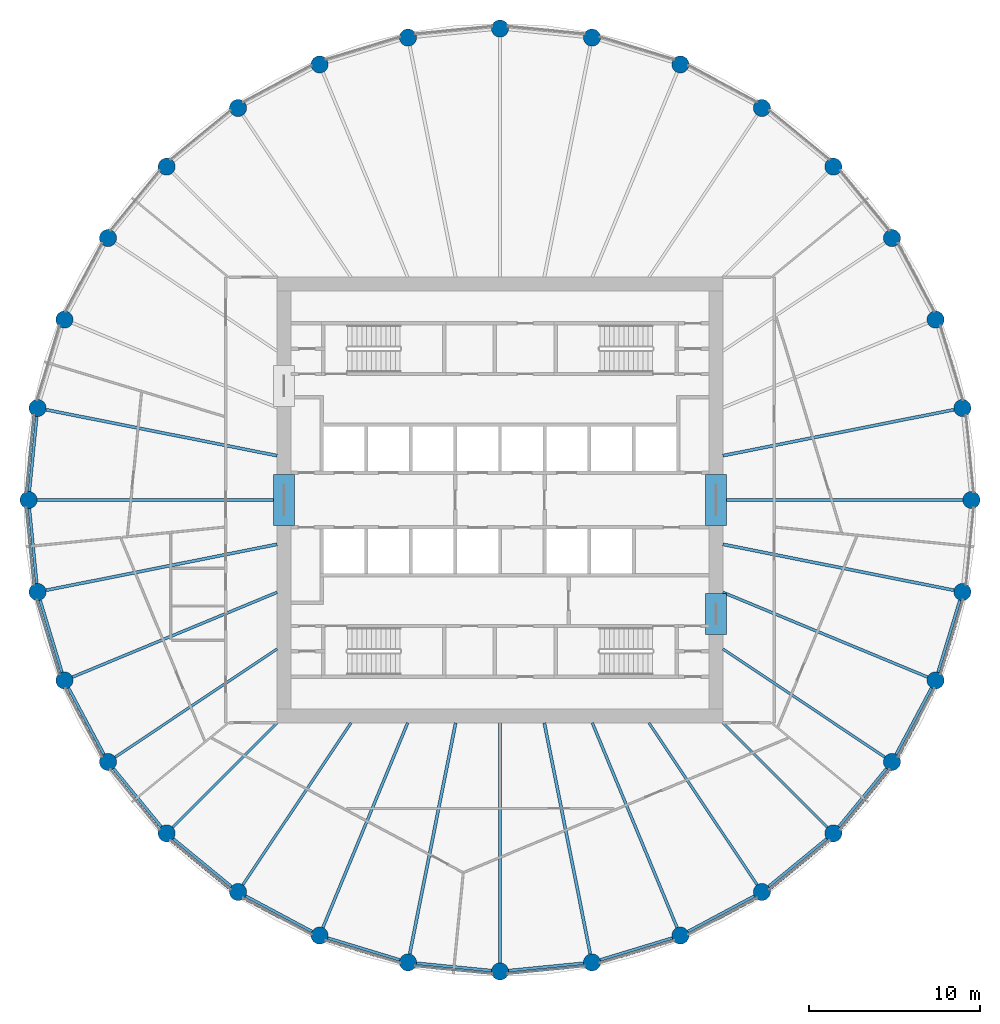
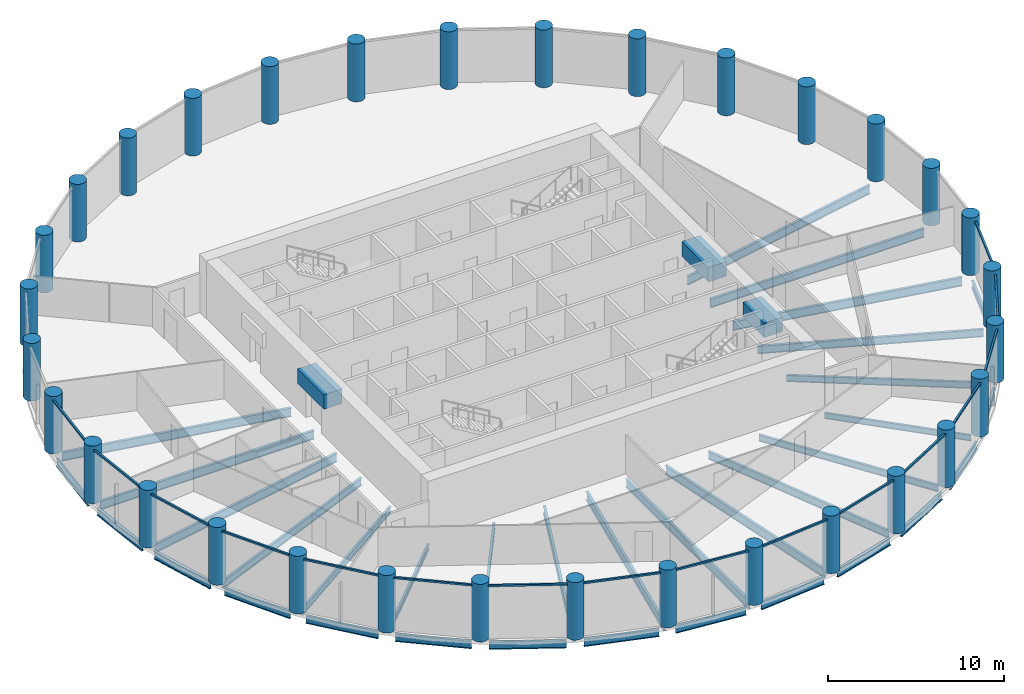
# One storey, part 1 of 8: 38 beams, 32 columns, 16 members, 16 elements without a shape of their own.
"""IFC4 building model written with IfcOpenShell, lengths in metres."""

from ifc_helpers import new_model, si_unit, direction, frame, origin, origin_2d, place, context, subcontext, project, spatial, rectangle, circle, i_section, extrude, material, material_profile, profile_set, type_object, element, aggregate, save


model = new_model("IFC4")

# Units and contexts
model_context = context("Model", 3, precision=1e-05, world=origin(), true_north=direction((0.0, 1.0)))
body_context = subcontext(model_context, "Body", "Model", "MODEL_VIEW")
ifc_project = project(units=[si_unit("LENGTHUNIT", "METRE"), si_unit("AREAUNIT", "SQUARE_METRE"), si_unit("VOLUMEUNIT", "CUBIC_METRE"), si_unit("PLANEANGLEUNIT", "RADIAN"), si_unit("MASSUNIT", "GRAM", prefix="KILO")], contexts=[model_context])

# Site, building, storey
site_placement = place(None, origin())
site = spatial("IfcSite", under=ifc_project, at=site_placement, CompositionType="ELEMENT")
building_placement = place(site_placement, origin())
building = spatial("IfcBuilding", under=site, at=building_placement, Name="Corvane Civic Tower", CompositionType="ELEMENT")
storey_placement = place(building_placement, frame((0.0, 0.0, 229.5)))
storey = spatial("IfcBuildingStorey", under=building, at=storey_placement, Name="L54", CompositionType="ELEMENT", Elevation=229.5)

# Columns
ifc_material_1 = material(Name="Concrete C60/75", Category="concrete")
ifc_material_profile_1 = material_profile(ifc_material_1, circle(Radius=0.5, at=origin_2d()), Name="COLUMN 1000")
ifc_profile_set_1 = profile_set([ifc_material_profile_1], Name="Concrete C60/75")
column_type = type_object("IfcColumnType", Name="RC COLUMN COLUMN 1000", PredefinedType="COLUMN", material=ifc_profile_set_1)
for number, where, z_axis, x_axis, name in (
    (1, (0.0, 27.5, 0.0), (0.0, 0.0, 1.0), (1.0, 0.0, 0.0), "COL-L54-D01"),
    (2, (5.364990234375, 26.9716796875, 0.0), (0.0, 0.0, 1.0), (1.0, 0.0, 0.0), "COL-L54-D02"),
    (3, (10.523681640625, 25.40673828125, 0.0), (0.0, 0.0, 1.0), (1.0, 0.0, 0.0), "COL-L54-D03"),
    (4, (15.278076171875, 22.865478515625, 0.0), (0.0, 0.0, 1.0), (1.0, 0.0, 0.0), "COL-L54-D04"),
    (5, (19.445556640625, 19.445556640625, 0.0), (0.0, 0.0, 1.0), (1.0, 0.0, 0.0), "COL-L54-D05"),
    (6, (22.865478515625, 15.278076171875, 0.0), (0.0, 0.0, 1.0), (1.0, 0.0, 0.0), "COL-L54-D06"),
    (7, (25.40673828125, 10.523681640625, 0.0), (0.0, 0.0, 1.0), (1.0, 0.0, 0.0), "COL-L54-D07"),
    (8, (26.9716796875, 5.364990234375, 0.0), (0.0, 0.0, 1.0), (1.0, 0.0, 0.0), "COL-L54-D08"),
    (9, (27.5, 0.0, 0.0), (0.0, 0.0, 1.0), (1.0, 0.0, 0.0), "COL-L54-D09"),
    (10, (26.9716796875, -5.364990234375, 0.0), (0.0, 0.0, 1.0), (1.0, 0.0, 0.0), "COL-L54-D10"),
    (11, (25.40673828125, -10.523681640625, 0.0), (0.0, 0.0, 1.0), (1.0, 0.0, 0.0), "COL-L54-D11"),
    (12, (22.865478515625, -15.278076171875, 0.0), (0.0, 0.0, 1.0), (1.0, 0.0, 0.0), "COL-L54-D12"),
    (13, (19.445556640625, -19.445556640625, 0.0), (0.0, 0.0, 1.0), (1.0, 0.0, 0.0), "COL-L54-D13"),
    (14, (15.278076171875, -22.865478515625, 0.0), (0.0, 0.0, 1.0), (1.0, 0.0, 0.0), "COL-L54-D14"),
    (15, (10.523681640625, -25.40673828125, 0.0), (0.0, 0.0, 1.0), (1.0, 0.0, 0.0), "COL-L54-D15"),
    (16, (5.364990234375, -26.9716796875, 0.0), (0.0, 0.0, 1.0), (1.0, 0.0, 0.0), "COL-L54-D16"),
    (17, (0.0, -27.5, 0.0), (0.0, 0.0, 1.0), (1.0, 0.0, 0.0), "COL-L54-D17"),
    (18, (-5.364990234375, -26.9716796875, 0.0), (0.0, 0.0, 1.0), (1.0, 0.0, 0.0), "COL-L54-D18"),
    (19, (-10.523681640625, -25.40673828125, 0.0), (0.0, 0.0, 1.0), (1.0, 0.0, 0.0), "COL-L54-D19"),
    (20, (-15.278076171875, -22.865478515625, 0.0), (0.0, 0.0, 1.0), (1.0, 0.0, 0.0), "COL-L54-D20"),
    (21, (-19.445556640625, -19.445556640625, 0.0), (0.0, 0.0, 1.0), (1.0, 0.0, 0.0), "COL-L54-D21"),
    (22, (-22.865478515625, -15.278076171875, 0.0), (0.0, 0.0, 1.0), (1.0, 0.0, 0.0), "COL-L54-D22"),
    (23, (-25.40673828125, -10.523681640625, 0.0), (0.0, 0.0, 1.0), (1.0, 0.0, 0.0), "COL-L54-D23"),
    (24, (-26.9716796875, -5.364990234375, 0.0), (0.0, 0.0, 1.0), (1.0, 0.0, 0.0), "COL-L54-D24"),
    (25, (-27.5, 0.0, 0.0), (0.0, 0.0, 1.0), (1.0, 0.0, 0.0), "COL-L54-D25"),
    (26, (-26.9716796875, 5.364990234375, 0.0), (0.0, 0.0, 1.0), (1.0, 0.0, 0.0), "COL-L54-D26"),
    (27, (-25.40673828125, 10.523681640625, 0.0), (0.0, 0.0, 1.0), (1.0, 0.0, 0.0), "COL-L54-D27"),
    (28, (-22.865478515625, 15.278076171875, 0.0), (0.0, 0.0, 1.0), (1.0, 0.0, 0.0), "COL-L54-D28"),
    (29, (-19.445556640625, 19.445556640625, 0.0), (0.0, 0.0, 1.0), (1.0, 0.0, 0.0), "COL-L54-D29"),
    (30, (-15.278076171875, 22.865478515625, 0.0), (0.0, 0.0, 1.0), (1.0, 0.0, 0.0), "COL-L54-D30"),
    (31, (-10.523681640625, 25.40673828125, 0.0), (0.0, 0.0, 1.0), (1.0, 0.0, 0.0), "COL-L54-D31"),
    (32, (-5.364990234375, 26.9716796875, 0.0), (0.0, 0.0, 1.0), (1.0, 0.0, 0.0), "COL-L54-D32"),
):
    element("IfcColumn", number, at=place(storey_placement, frame(where, z_axis=z_axis, x_axis=x_axis)), inside=storey, type_object=column_type, Name=name, PredefinedType="COLUMN", context=body_context, shape_type="SweptSolid", body=[
        extrude(circle(Radius=0.5, at=origin_2d()), origin(), (0.0, 0.0, 1.0), 4.0),
    ])

# Beams
ifc_material_2 = material(Name="Concrete C50/60", Category="concrete")
ifc_material_profile_2 = material_profile(ifc_material_2, rectangle(XDim=1.199951171875, YDim=1.0, at=origin_2d()), Name="COUPLING BEAM 1200X1000")
ifc_profile_set_2 = profile_set([ifc_material_profile_2], Name="Concrete C50/60")
beam_type_1 = type_object("IfcBeamType", Name="COUPLING BEAM COUPLING BEAM 1200X1000", PredefinedType="BEAM", material=ifc_profile_set_2)
for number, where, z_axis, x_axis, name in (
    (33, (-12.60009765625, -1.5, 2.60009765625), (0.0, 1.0, 0.0), (-1.0, 0.0, 0.0), "BM-L54-cpl-CW-LW"),
    (34, (12.60009765625, -1.5, 2.60009765625), (0.0, 1.0, 0.0), (-1.0, 0.0, 0.0), "BM-L54-cpl-CW-LE"),
):
    element("IfcBeam", number, at=place(storey_placement, frame(where, z_axis=z_axis, x_axis=x_axis)), inside=storey, type_object=beam_type_1, Name=name, PredefinedType="BEAM", context=body_context, shape_type="SweptSolid", body=[
        extrude(rectangle(XDim=1.199951171875, YDim=1.0, at=origin_2d()), origin(), (0.0, 0.0, 1.0), 3.0),
    ])
beam_1_placement = place(storey_placement, frame((12.60009765625, -7.85009765625, 2.60009765625), z_axis=(0.0, 1.0, 0.0), x_axis=(-1.0, 0.0, 0.0)))
element("IfcBeam", 35, at=beam_1_placement, inside=storey, type_object=beam_type_1, Name="BM-L54-cpl-CW-ES", PredefinedType="BEAM", context=body_context, shape_type="SweptSolid", body=[
    extrude(rectangle(XDim=1.199951171875, YDim=1.0, at=origin_2d()), origin(), (0.0, 0.0, 1.0), 2.400146484375),
])
ifc_material_3 = material(Name="Steel ASTM A992 Gr 50", Category="steel")
ifc_material_profile_3 = material_profile(ifc_material_3, i_section(OverallWidth=0.165771484375, OverallDepth=0.5283203125, WebThickness=0.009765625, FlangeThickness=0.013671875, at=origin_2d()), Name="W21X50")
ifc_profile_set_3 = profile_set([ifc_material_profile_3], Name="Steel ASTM A992 Gr 50")
beam_type_2 = type_object("IfcBeamType", Name="EDGE BEAM W21X50", PredefinedType="BEAM", material=ifc_profile_set_3)
beam_2_placement = place(storey_placement, frame((26.826416015625, -5.843505859375, -0.564208984375), z_axis=(-0.290254307888, -0.956949547653, 0.0), x_axis=(0.956949547653, -0.290254307888, 0.0)))
element("IfcBeam", 36, at=beam_2_placement, inside=storey, type_object=beam_type_2, Name="BM-L54-E10", PredefinedType="BEAM", context=body_context, shape_type="SweptSolid", body=[
    extrude(i_section(OverallWidth=0.165771484375, OverallDepth=0.5283203125, WebThickness=0.009765625, FlangeThickness=0.013671875, at=origin_2d()), origin(), (0.0, 0.0, 1.0), 4.390625),
])
for number, where, z_axis, x_axis, name in (
    (37, (25.171142578125, -10.964599609375, -0.564208984375), (-0.471422006704, -0.881907756852, 0.0), (0.881907756852, -0.471422006704, 0.0), "BM-L54-E11"),
    (38, (22.54833984375, -15.66455078125, -0.564208984375), (-0.634369433447, -0.773030026524, 0.0), (0.773030026524, -0.634369433447, 0.0), "BM-L54-E12"),
    (39, (19.05908203125, -19.7626953125, -0.564208984375), (-0.773030026524, -0.634369433447, 0.0), (0.634369433447, -0.773030026524, 0.0), "BM-L54-E13"),
    (40, (14.837158203125, -23.10107421875, -0.564208984375), (-0.881907756852, -0.471422006704, 0.0), (0.471422006704, -0.881907756852, 0.0), "BM-L54-E14"),
):
    element("IfcBeam", number, at=place(storey_placement, frame(where, z_axis=z_axis, x_axis=x_axis)), inside=storey, type_object=beam_type_2, Name=name, PredefinedType="BEAM", context=body_context, shape_type="SweptSolid", body=[
        extrude(i_section(OverallWidth=0.165771484375, OverallDepth=0.5283203125, WebThickness=0.009765625, FlangeThickness=0.013671875, at=origin_2d()), origin(), (0.0, 0.0, 1.0), 4.39111328125),
    ])
beam_3_placement = place(storey_placement, frame((10.045166015625, -25.552001953125, -0.564208984375), z_axis=(-0.956949547653, -0.290254307888, 0.0), x_axis=(0.290254307888, -0.956949547653, 0.0)))
element("IfcBeam", 41, at=beam_3_placement, inside=storey, type_object=beam_type_2, Name="BM-L54-E15", PredefinedType="BEAM", context=body_context, shape_type="SweptSolid", body=[
    extrude(i_section(OverallWidth=0.165771484375, OverallDepth=0.5283203125, WebThickness=0.009765625, FlangeThickness=0.013671875, at=origin_2d()), origin(), (0.0, 0.0, 1.0), 4.390625),
])
for number, where, z_axis, x_axis, name in (
    (42, (4.867431640625, -27.020751953125, -0.564208984375), (-0.995189593769, -0.097967711281, 0.0), (0.097967711281, -0.995189593769, 0.0), "BM-L54-E16"),
    (43, (-0.49755859375, -27.450927734375, -0.564208984375), (-0.995189593769, 0.097967711281, 0.0), (-0.097967711281, -0.995189593769, 0.0), "BM-L54-E17"),
):
    element("IfcBeam", number, at=place(storey_placement, frame(where, z_axis=z_axis, x_axis=x_axis)), inside=storey, type_object=beam_type_2, Name=name, PredefinedType="BEAM", context=body_context, shape_type="SweptSolid", body=[
        extrude(i_section(OverallWidth=0.165771484375, OverallDepth=0.5283203125, WebThickness=0.009765625, FlangeThickness=0.013671875, at=origin_2d()), origin(), (0.0, 0.0, 1.0), 4.39111328125),
    ])
beam_4_placement = place(storey_placement, frame((-5.843505859375, -26.826416015625, -0.564208984375), z_axis=(-0.956949547653, 0.290254307888, 0.0), x_axis=(-0.290254307888, -0.956949547653, 0.0)))
element("IfcBeam", 44, at=beam_4_placement, inside=storey, type_object=beam_type_2, Name="BM-L54-E18", PredefinedType="BEAM", context=body_context, shape_type="SweptSolid", body=[
    extrude(i_section(OverallWidth=0.165771484375, OverallDepth=0.5283203125, WebThickness=0.009765625, FlangeThickness=0.013671875, at=origin_2d()), origin(), (0.0, 0.0, 1.0), 4.390625),
])
for number, where, z_axis, x_axis, name in (
    (45, (-10.964599609375, -25.171142578125, -0.564208984375), (-0.881907756852, 0.471422006704, 0.0), (-0.471422006704, -0.881907756852, 0.0), "BM-L54-E19"),
    (46, (-15.66455078125, -22.54833984375, -0.564208984375), (-0.773030026524, 0.634369433447, 0.0), (-0.634369433447, -0.773030026524, 0.0), "BM-L54-E20"),
    (47, (-19.7626953125, -19.05908203125, -0.564208984375), (-0.634369433447, 0.773030026524, 0.0), (-0.773030026524, -0.634369433447, 0.0), "BM-L54-E21"),
    (48, (-23.10107421875, -14.837158203125, -0.564208984375), (-0.471422006704, 0.881907756852, 0.0), (-0.881907756852, -0.471422006704, 0.0), "BM-L54-E22"),
):
    element("IfcBeam", number, at=place(storey_placement, frame(where, z_axis=z_axis, x_axis=x_axis)), inside=storey, type_object=beam_type_2, Name=name, PredefinedType="BEAM", context=body_context, shape_type="SweptSolid", body=[
        extrude(i_section(OverallWidth=0.165771484375, OverallDepth=0.5283203125, WebThickness=0.009765625, FlangeThickness=0.013671875, at=origin_2d()), origin(), (0.0, 0.0, 1.0), 4.39111328125),
    ])
beam_5_placement = place(storey_placement, frame((-25.552001953125, -10.045166015625, -0.564208984375), z_axis=(-0.290254307888, 0.956949547653, 0.0), x_axis=(-0.956949547653, -0.290254307888, 0.0)))
element("IfcBeam", 49, at=beam_5_placement, inside=storey, type_object=beam_type_2, Name="BM-L54-E23", PredefinedType="BEAM", context=body_context, shape_type="SweptSolid", body=[
    extrude(i_section(OverallWidth=0.165771484375, OverallDepth=0.5283203125, WebThickness=0.009765625, FlangeThickness=0.013671875, at=origin_2d()), origin(), (0.0, 0.0, 1.0), 4.390625),
])
for number, where, z_axis, x_axis, name in (
    (50, (-27.020751953125, -4.867431640625, -0.564208984375), (-0.097967711281, 0.995189593769, 0.0), (-0.995189593769, -0.097967711281, 0.0), "BM-L54-E24"),
    (51, (-27.450927734375, 0.49755859375, -0.564208984375), (0.097967711281, 0.995189593769, 0.0), (-0.995189593769, 0.097967711281, 0.0), "BM-L54-E25"),
):
    element("IfcBeam", number, at=place(storey_placement, frame(where, z_axis=z_axis, x_axis=x_axis)), inside=storey, type_object=beam_type_2, Name=name, PredefinedType="BEAM", context=body_context, shape_type="SweptSolid", body=[
        extrude(i_section(OverallWidth=0.165771484375, OverallDepth=0.5283203125, WebThickness=0.009765625, FlangeThickness=0.013671875, at=origin_2d()), origin(), (0.0, 0.0, 1.0), 4.39111328125),
    ])
ifc_material_4 = material(Name="Steel ASTM A992 Gr 50", Category="steel")
ifc_material_profile_4 = material_profile(ifc_material_4, i_section(OverallWidth=0.140380859375, OverallDepth=0.40380859375, WebThickness=0.007080078125, FlangeThickness=0.01123046875, at=origin_2d()), Name="W16X31")
ifc_profile_set_4 = profile_set([ifc_material_profile_4], Name="Steel ASTM A992 Gr 50")
beam_type_3 = type_object("IfcBeamType", Name="FLOOR GIRDER W16X31", PredefinedType="BEAM", material=ifc_profile_set_4)
for number, where, z_axis, x_axis, name in (
    (52, (13.0, -13.0, -0.501953125), (0.707106781187, -0.707106781187, 0.0), (0.707106781187, 0.707106781187, 0.0), "BM-L54-G13"),
    (53, (-13.0, -13.0, -0.501953125), (-0.707106781187, -0.707106781187, 0.0), (0.707106781187, -0.707106781187, 0.0), "BM-L54-G21"),
):
    element("IfcBeam", number, at=place(storey_placement, frame(where, z_axis=z_axis, x_axis=x_axis)), inside=storey, type_object=beam_type_3, Name=name, PredefinedType="BEAM", context=body_context, shape_type="SweptSolid", body=[
        extrude(i_section(OverallWidth=0.140380859375, OverallDepth=0.40380859375, WebThickness=0.007080078125, FlangeThickness=0.01123046875, at=origin_2d()), origin(), (0.0, 0.0, 1.0), 8.614990234375),
    ])
ifc_material_5 = material(Name="Steel ASTM A992 Gr 50", Category="steel")
ifc_material_profile_5 = material_profile(ifc_material_5, i_section(OverallWidth=0.15283203125, OverallDepth=0.45458984375, WebThickness=0.008056640625, FlangeThickness=0.013427734375, at=origin_2d()), Name="W18X40")
ifc_profile_set_5 = profile_set([ifc_material_profile_5], Name="Steel ASTM A992 Gr 50")
beam_type_4 = type_object("IfcBeamType", Name="FLOOR GIRDER W18X40", PredefinedType="BEAM", material=ifc_profile_set_5)
for number, where, z_axis, x_axis, name in (
    (54, (13.0, -8.686279296875, -0.52734375), (0.831464872557, -0.555577326485, 0.0), (0.555577326485, 0.831464872557, 0.0), "BM-L54-G12"),
    (55, (8.686279296875, -13.0, -0.52734375), (0.555577326485, -0.831464872557, 0.0), (0.831464872557, 0.555577326485, 0.0), "BM-L54-G14"),
    (56, (-8.686279296875, -13.0, -0.52734375), (-0.555577326485, -0.831464872557, 0.0), (0.831464872557, -0.555577326485, 0.0), "BM-L54-G20"),
    (57, (-13.0, -8.686279296875, -0.52734375), (-0.831464872557, -0.555577326485, 0.0), (0.555577326485, -0.831464872557, 0.0), "BM-L54-G22"),
):
    element("IfcBeam", number, at=place(storey_placement, frame(where, z_axis=z_axis, x_axis=x_axis)), inside=storey, type_object=beam_type_4, Name=name, PredefinedType="BEAM", context=body_context, shape_type="SweptSolid", body=[
        extrude(i_section(OverallWidth=0.15283203125, OverallDepth=0.45458984375, WebThickness=0.008056640625, FlangeThickness=0.013427734375, at=origin_2d()), origin(), (0.0, 0.0, 1.0), 11.365234375),
    ])
ifc_material_6 = material(Name="Steel ASTM A992 Gr 50", Category="steel")
ifc_material_profile_6 = material_profile(ifc_material_6, i_section(OverallWidth=0.165771484375, OverallDepth=0.5283203125, WebThickness=0.009765625, FlangeThickness=0.013671875, at=origin_2d()), Name="W21X50")
ifc_profile_set_6 = profile_set([ifc_material_profile_6], Name="Steel ASTM A992 Gr 50")
beam_type_5 = type_object("IfcBeamType", Name="FLOOR GIRDER W21X50", PredefinedType="BEAM", material=ifc_profile_set_6)
for number, where, z_axis, x_axis, name in (
    (58, (13.0, -5.384765625, -0.564208984375), (0.923878282404, -0.382686450378, 0.0), (0.382686450378, 0.923878282404, 0.0), "BM-L54-G11"),
    (59, (5.384765625, -13.0, -0.564208984375), (0.382686450378, -0.923878282404, 0.0), (0.923878282404, 0.382686450378, 0.0), "BM-L54-G15"),
    (60, (-5.384765625, -13.0, -0.564208984375), (-0.382686450378, -0.923878282404, 0.0), (0.923878282404, -0.382686450378, 0.0), "BM-L54-G19"),
    (61, (-13.0, -5.384765625, -0.564208984375), (-0.923878282404, -0.382686450378, 0.0), (0.382686450378, -0.923878282404, 0.0), "BM-L54-G23"),
):
    element("IfcBeam", number, at=place(storey_placement, frame(where, z_axis=z_axis, x_axis=x_axis)), inside=storey, type_object=beam_type_5, Name=name, PredefinedType="BEAM", context=body_context, shape_type="SweptSolid", body=[
        extrude(i_section(OverallWidth=0.165771484375, OverallDepth=0.5283203125, WebThickness=0.009765625, FlangeThickness=0.013671875, at=origin_2d()), origin(), (0.0, 0.0, 1.0), 12.928955078125),
    ])
ifc_material_7 = material(Name="Steel ASTM A992 Gr 50", Category="steel")
ifc_material_profile_7 = material_profile(ifc_material_7, i_section(OverallWidth=0.177978515625, OverallDepth=0.599365234375, WebThickness=0.010009765625, FlangeThickness=0.012939453125, at=origin_2d()), Name="W24X55")
ifc_profile_set_7 = profile_set([ifc_material_profile_7], Name="Steel ASTM A992 Gr 50")
beam_type_6 = type_object("IfcBeamType", Name="FLOOR GIRDER W24X55", PredefinedType="BEAM", material=ifc_profile_set_7)
beam_6_placement = place(storey_placement, frame((13.0, 2.5859375, -0.599609375), z_axis=(0.980787802109, 0.195077644118, 0.0), x_axis=(-0.195077644118, 0.980787802109, 0.0)))
element("IfcBeam", 62, at=beam_6_placement, inside=storey, type_object=beam_type_6, Name="BM-L54-G08", PredefinedType="BEAM", context=body_context, shape_type="SweptSolid", body=[
    extrude(i_section(OverallWidth=0.177978515625, OverallDepth=0.599365234375, WebThickness=0.010009765625, FlangeThickness=0.012939453125, at=origin_2d()), origin(), (0.0, 0.0, 1.0), 13.745361328125),
])
beam_7_placement = place(storey_placement, frame((13.0, 0.0, -0.599609375), z_axis=(1.0, 0.0, 0.0), x_axis=(0.0, 1.0, 0.0)))
element("IfcBeam", 63, at=beam_7_placement, inside=storey, type_object=beam_type_6, Name="BM-L54-G09", PredefinedType="BEAM", context=body_context, shape_type="SweptSolid", body=[
    extrude(i_section(OverallWidth=0.177978515625, OverallDepth=0.599365234375, WebThickness=0.010009765625, FlangeThickness=0.012939453125, at=origin_2d()), origin(), (0.0, 0.0, 1.0), 14.0),
])
for number, where, z_axis, x_axis, name in (
    (64, (13.0, -2.5859375, -0.599609375), (0.980787802109, -0.195077644118, 0.0), (0.195077644118, 0.980787802109, 0.0), "BM-L54-G10"),
    (65, (2.5859375, -13.0, -0.599609375), (0.195077644118, -0.980787802109, 0.0), (0.980787802109, 0.195077644118, 0.0), "BM-L54-G16"),
):
    element("IfcBeam", number, at=place(storey_placement, frame(where, z_axis=z_axis, x_axis=x_axis)), inside=storey, type_object=beam_type_6, Name=name, PredefinedType="BEAM", context=body_context, shape_type="SweptSolid", body=[
        extrude(i_section(OverallWidth=0.177978515625, OverallDepth=0.599365234375, WebThickness=0.010009765625, FlangeThickness=0.012939453125, at=origin_2d()), origin(), (0.0, 0.0, 1.0), 13.745361328125),
    ])
beam_8_placement = place(storey_placement, frame((0.0, -13.0, -0.599609375), z_axis=(0.0, -1.0, 0.0), x_axis=(1.0, 0.0, 0.0)))
element("IfcBeam", 66, at=beam_8_placement, inside=storey, type_object=beam_type_6, Name="BM-L54-G17", PredefinedType="BEAM", context=body_context, shape_type="SweptSolid", body=[
    extrude(i_section(OverallWidth=0.177978515625, OverallDepth=0.599365234375, WebThickness=0.010009765625, FlangeThickness=0.012939453125, at=origin_2d()), origin(), (0.0, 0.0, 1.0), 14.0),
])
for number, where, z_axis, x_axis, name in (
    (67, (-2.5859375, -13.0, -0.599609375), (-0.195077644118, -0.980787802109, 0.0), (0.980787802109, -0.195077644118, 0.0), "BM-L54-G18"),
    (68, (-13.0, -2.5859375, -0.599609375), (-0.980787802109, -0.195077644118, 0.0), (0.195077644118, -0.980787802109, 0.0), "BM-L54-G24"),
):
    element("IfcBeam", number, at=place(storey_placement, frame(where, z_axis=z_axis, x_axis=x_axis)), inside=storey, type_object=beam_type_6, Name=name, PredefinedType="BEAM", context=body_context, shape_type="SweptSolid", body=[
        extrude(i_section(OverallWidth=0.177978515625, OverallDepth=0.599365234375, WebThickness=0.010009765625, FlangeThickness=0.012939453125, at=origin_2d()), origin(), (0.0, 0.0, 1.0), 13.745361328125),
    ])
beam_9_placement = place(storey_placement, frame((-13.0, 0.0, -0.599609375), z_axis=(-1.0, 0.0, 0.0), x_axis=(0.0, -1.0, 0.0)))
element("IfcBeam", 69, at=beam_9_placement, inside=storey, type_object=beam_type_6, Name="BM-L54-G25", PredefinedType="BEAM", context=body_context, shape_type="SweptSolid", body=[
    extrude(i_section(OverallWidth=0.177978515625, OverallDepth=0.599365234375, WebThickness=0.010009765625, FlangeThickness=0.012939453125, at=origin_2d()), origin(), (0.0, 0.0, 1.0), 14.0),
])
beam_10_placement = place(storey_placement, frame((-13.0, 2.5859375, -0.599609375), z_axis=(-0.980787802109, 0.195077644118, 0.0), x_axis=(-0.195077644118, -0.980787802109, 0.0)))
element("IfcBeam", 70, at=beam_10_placement, inside=storey, type_object=beam_type_6, Name="BM-L54-G26", PredefinedType="BEAM", context=body_context, shape_type="SweptSolid", body=[
    extrude(i_section(OverallWidth=0.177978515625, OverallDepth=0.599365234375, WebThickness=0.010009765625, FlangeThickness=0.012939453125, at=origin_2d()), origin(), (0.0, 0.0, 1.0), 13.745361328125),
])

# Curtain wall, member
ifc_material_8 = material(Name="Anodised aluminium bronze", Category="aluminium")
curtain_wall_type = type_object("IfcCurtainWallType", Name="TOWER CW-T2 STICK CURTAIN WALL", PredefinedType="NOTDEFINED", material=ifc_material_8)
curtain_wall_1_placement = place(storey_placement, origin())
curtain_wall_1 = element("IfcCurtainWall", 71, at=curtain_wall_1_placement, inside=storey, type_object=curtain_wall_type, Name="Curtain wall CW-T2 L54 bay 10", PredefinedType="NOTDEFINED")
ifc_material_9 = material(Name="Anodised aluminium bronze", Category="aluminium")
ifc_material_profile_8 = material_profile(ifc_material_9, rectangle(XDim=0.1201171875, YDim=0.1201171875, at=origin_2d()), Name="TOWER CW-T2 TRANSOM 120x120")
ifc_profile_set_8 = profile_set([ifc_material_profile_8], Name="Anodised aluminium bronze")
member_type = type_object("IfcMemberType", Name="TOWER CW-T2 TRANSOM 120x120", PredefinedType="USERDEFINED", material=ifc_profile_set_8)
member_1_placement = place(storey_placement, frame((27.016357421875, -5.8349609375, 3.68994140625), z_axis=(-0.2902818869, -0.956941182173, 0.0), x_axis=(0.956941182173, -0.2902818869, 0.0)))
member_1 = element("IfcMember", 72, at=member_1_placement, type_object=member_type, Name="Transom CW-T2 L54 10.1", ObjectType="TRANSOM", PredefinedType="USERDEFINED", context=body_context, shape_type="SweptSolid", body=[
    extrude(rectangle(XDim=0.1201171875, YDim=0.1201171875, at=origin_2d()), origin(), (0.0, 0.0, 1.0), 4.517333984375),
])
aggregate(curtain_wall_1, [member_1])

curtain_wall_2_placement = place(storey_placement, origin())
curtain_wall_2 = element("IfcCurtainWall", 73, at=curtain_wall_2_placement, inside=storey, type_object=curtain_wall_type, Name="Curtain wall CW-T2 L54 bay 11", PredefinedType="NOTDEFINED")
member_2_placement = place(storey_placement, frame((25.35888671875, -10.993408203125, 3.68994140625), z_axis=(-0.471390317183, -0.881924695689, 0.0), x_axis=(0.881924695689, -0.471390317183, 0.0)))
member_2 = element("IfcMember", 74, at=member_2_placement, type_object=member_type, Name="Transom CW-T2 L54 11.1", ObjectType="TRANSOM", PredefinedType="USERDEFINED", context=body_context, shape_type="SweptSolid", body=[
    extrude(rectangle(XDim=0.1201171875, YDim=0.1201171875, at=origin_2d()), origin(), (0.0, 0.0, 1.0), 4.517333984375),
])
aggregate(curtain_wall_2, [member_2])

curtain_wall_3_placement = place(storey_placement, origin())
curtain_wall_3 = element("IfcCurtainWall", 75, at=curtain_wall_3_placement, inside=storey, type_object=curtain_wall_type, Name="Curtain wall CW-T2 L54 bay 12", PredefinedType="NOTDEFINED")
member_3_placement = place(storey_placement, frame((22.726806640625, -15.7294921875, 3.68994140625), z_axis=(-0.634387834569, -0.773014925698, 0.0), x_axis=(0.773014925698, -0.634387834569, 0.0)))
member_3 = element("IfcMember", 76, at=member_3_placement, type_object=member_type, Name="Transom CW-T2 L54 12.1", ObjectType="TRANSOM", PredefinedType="USERDEFINED", context=body_context, shape_type="SweptSolid", body=[
    extrude(rectangle(XDim=0.1201171875, YDim=0.1201171875, at=origin_2d()), origin(), (0.0, 0.0, 1.0), 4.517333984375),
])
aggregate(curtain_wall_3, [member_3])

curtain_wall_4_placement = place(storey_placement, origin())
curtain_wall_4 = element("IfcCurtainWall", 77, at=curtain_wall_4_placement, inside=storey, type_object=curtain_wall_type, Name="Curtain wall CW-T2 L54 bay 13", PredefinedType="NOTDEFINED")
member_4_placement = place(storey_placement, frame((19.221435546875, -19.861083984375, 3.68994140625), z_axis=(-0.773014925698, -0.634387834569, 0.0), x_axis=(0.634387834569, -0.773014925698, 0.0)))
member_4 = element("IfcMember", 78, at=member_4_placement, type_object=member_type, Name="Transom CW-T2 L54 13.1", ObjectType="TRANSOM", PredefinedType="USERDEFINED", context=body_context, shape_type="SweptSolid", body=[
    extrude(rectangle(XDim=0.1201171875, YDim=0.1201171875, at=origin_2d()), origin(), (0.0, 0.0, 1.0), 4.517333984375),
])
aggregate(curtain_wall_4, [member_4])

curtain_wall_5_placement = place(storey_placement, origin())
curtain_wall_5 = element("IfcCurtainWall", 79, at=curtain_wall_5_placement, inside=storey, type_object=curtain_wall_type, Name="Curtain wall CW-T2 L54 bay 14", PredefinedType="NOTDEFINED")
member_5_placement = place(storey_placement, frame((14.977294921875, -23.2294921875, 3.68994140625), z_axis=(-0.881924695689, -0.471390317183, 0.0), x_axis=(0.471390317183, -0.881924695689, 0.0)))
member_5 = element("IfcMember", 80, at=member_5_placement, type_object=member_type, Name="Transom CW-T2 L54 14.1", ObjectType="TRANSOM", PredefinedType="USERDEFINED", context=body_context, shape_type="SweptSolid", body=[
    extrude(rectangle(XDim=0.1201171875, YDim=0.1201171875, at=origin_2d()), origin(), (0.0, 0.0, 1.0), 4.517333984375),
])
aggregate(curtain_wall_5, [member_5])

curtain_wall_6_placement = place(storey_placement, origin())
curtain_wall_6 = element("IfcCurtainWall", 81, at=curtain_wall_6_placement, inside=storey, type_object=curtain_wall_type, Name="Curtain wall CW-T2 L54 bay 15", PredefinedType="NOTDEFINED")
member_6_placement = place(storey_placement, frame((10.15771484375, -25.705078125, 3.68994140625), z_axis=(-0.956941182173, -0.2902818869, 0.0), x_axis=(0.2902818869, -0.956941182173, 0.0)))
member_6 = element("IfcMember", 82, at=member_6_placement, type_object=member_type, Name="Transom CW-T2 L54 15.1", ObjectType="TRANSOM", PredefinedType="USERDEFINED", context=body_context, shape_type="SweptSolid", body=[
    extrude(rectangle(XDim=0.1201171875, YDim=0.1201171875, at=origin_2d()), origin(), (0.0, 0.0, 1.0), 4.517333984375),
])
aggregate(curtain_wall_6, [member_6])

curtain_wall_7_placement = place(storey_placement, origin())
curtain_wall_7 = element("IfcCurtainWall", 83, at=curtain_wall_7_placement, inside=storey, type_object=curtain_wall_type, Name="Curtain wall CW-T2 L54 bay 16", PredefinedType="NOTDEFINED")
member_7_placement = place(storey_placement, frame((4.94775390625, -27.192626953125, 3.68994140625), z_axis=(-0.995182207386, -0.098042715701, 0.0), x_axis=(0.098042715701, -0.995182207386, 0.0)))
member_7 = element("IfcMember", 84, at=member_7_placement, type_object=member_type, Name="Transom CW-T2 L54 16.1", ObjectType="TRANSOM", PredefinedType="USERDEFINED", context=body_context, shape_type="SweptSolid", body=[
    extrude(rectangle(XDim=0.1201171875, YDim=0.1201171875, at=origin_2d()), origin(), (0.0, 0.0, 1.0), 4.51708984375),
])
aggregate(curtain_wall_7, [member_7])

curtain_wall_8_placement = place(storey_placement, origin())
curtain_wall_8 = element("IfcCurtainWall", 85, at=curtain_wall_8_placement, inside=storey, type_object=curtain_wall_type, Name="Curtain wall CW-T2 L54 bay 17", PredefinedType="NOTDEFINED")
member_8_placement = place(storey_placement, frame((-0.452392578125, -27.635498046875, 3.68994140625), z_axis=(-0.995182207386, 0.098042715701, 0.0), x_axis=(-0.098042715701, -0.995182207386, 0.0)))
member_8 = element("IfcMember", 86, at=member_8_placement, type_object=member_type, Name="Transom CW-T2 L54 17.1", ObjectType="TRANSOM", PredefinedType="USERDEFINED", context=body_context, shape_type="SweptSolid", body=[
    extrude(rectangle(XDim=0.1201171875, YDim=0.1201171875, at=origin_2d()), origin(), (0.0, 0.0, 1.0), 4.51708984375),
])
aggregate(curtain_wall_8, [member_8])

curtain_wall_9_placement = place(storey_placement, origin())
curtain_wall_9 = element("IfcCurtainWall", 87, at=curtain_wall_9_placement, inside=storey, type_object=curtain_wall_type, Name="Curtain wall CW-T2 L54 bay 18", PredefinedType="NOTDEFINED")
member_9_placement = place(storey_placement, frame((-5.8349609375, -27.016357421875, 3.68994140625), z_axis=(-0.956941182173, 0.2902818869, 0.0), x_axis=(-0.2902818869, -0.956941182173, 0.0)))
member_9 = element("IfcMember", 88, at=member_9_placement, type_object=member_type, Name="Transom CW-T2 L54 18.1", ObjectType="TRANSOM", PredefinedType="USERDEFINED", context=body_context, shape_type="SweptSolid", body=[
    extrude(rectangle(XDim=0.1201171875, YDim=0.1201171875, at=origin_2d()), origin(), (0.0, 0.0, 1.0), 4.517333984375),
])
aggregate(curtain_wall_9, [member_9])

curtain_wall_10_placement = place(storey_placement, origin())
curtain_wall_10 = element("IfcCurtainWall", 89, at=curtain_wall_10_placement, inside=storey, type_object=curtain_wall_type, Name="Curtain wall CW-T2 L54 bay 19", PredefinedType="NOTDEFINED")
member_10_placement = place(storey_placement, frame((-10.993408203125, -25.35888671875, 3.68994140625), z_axis=(-0.881924695689, 0.471390317183, 0.0), x_axis=(-0.471390317183, -0.881924695689, 0.0)))
member_10 = element("IfcMember", 90, at=member_10_placement, type_object=member_type, Name="Transom CW-T2 L54 19.1", ObjectType="TRANSOM", PredefinedType="USERDEFINED", context=body_context, shape_type="SweptSolid", body=[
    extrude(rectangle(XDim=0.1201171875, YDim=0.1201171875, at=origin_2d()), origin(), (0.0, 0.0, 1.0), 4.517333984375),
])
aggregate(curtain_wall_10, [member_10])

curtain_wall_11_placement = place(storey_placement, origin())
curtain_wall_11 = element("IfcCurtainWall", 91, at=curtain_wall_11_placement, inside=storey, type_object=curtain_wall_type, Name="Curtain wall CW-T2 L54 bay 20", PredefinedType="NOTDEFINED")
member_11_placement = place(storey_placement, frame((-15.7294921875, -22.726806640625, 3.68994140625), z_axis=(-0.773014925698, 0.634387834569, 0.0), x_axis=(-0.634387834569, -0.773014925698, 0.0)))
member_11 = element("IfcMember", 92, at=member_11_placement, type_object=member_type, Name="Transom CW-T2 L54 20.1", ObjectType="TRANSOM", PredefinedType="USERDEFINED", context=body_context, shape_type="SweptSolid", body=[
    extrude(rectangle(XDim=0.1201171875, YDim=0.1201171875, at=origin_2d()), origin(), (0.0, 0.0, 1.0), 4.517333984375),
])
aggregate(curtain_wall_11, [member_11])

curtain_wall_12_placement = place(storey_placement, origin())
curtain_wall_12 = element("IfcCurtainWall", 93, at=curtain_wall_12_placement, inside=storey, type_object=curtain_wall_type, Name="Curtain wall CW-T2 L54 bay 21", PredefinedType="NOTDEFINED")
member_12_placement = place(storey_placement, frame((-19.861083984375, -19.221435546875, 3.68994140625), z_axis=(-0.634387834569, 0.773014925698, 0.0), x_axis=(-0.773014925698, -0.634387834569, 0.0)))
member_12 = element("IfcMember", 94, at=member_12_placement, type_object=member_type, Name="Transom CW-T2 L54 21.1", ObjectType="TRANSOM", PredefinedType="USERDEFINED", context=body_context, shape_type="SweptSolid", body=[
    extrude(rectangle(XDim=0.1201171875, YDim=0.1201171875, at=origin_2d()), origin(), (0.0, 0.0, 1.0), 4.517333984375),
])
aggregate(curtain_wall_12, [member_12])

curtain_wall_13_placement = place(storey_placement, origin())
curtain_wall_13 = element("IfcCurtainWall", 95, at=curtain_wall_13_placement, inside=storey, type_object=curtain_wall_type, Name="Curtain wall CW-T2 L54 bay 22", PredefinedType="NOTDEFINED")
member_13_placement = place(storey_placement, frame((-23.2294921875, -14.977294921875, 3.68994140625), z_axis=(-0.471390317183, 0.881924695689, 0.0), x_axis=(-0.881924695689, -0.471390317183, 0.0)))
member_13 = element("IfcMember", 96, at=member_13_placement, type_object=member_type, Name="Transom CW-T2 L54 22.1", ObjectType="TRANSOM", PredefinedType="USERDEFINED", context=body_context, shape_type="SweptSolid", body=[
    extrude(rectangle(XDim=0.1201171875, YDim=0.1201171875, at=origin_2d()), origin(), (0.0, 0.0, 1.0), 4.517333984375),
])
aggregate(curtain_wall_13, [member_13])

curtain_wall_14_placement = place(storey_placement, origin())
curtain_wall_14 = element("IfcCurtainWall", 97, at=curtain_wall_14_placement, inside=storey, type_object=curtain_wall_type, Name="Curtain wall CW-T2 L54 bay 23", PredefinedType="NOTDEFINED")
member_14_placement = place(storey_placement, frame((-25.705078125, -10.15771484375, 3.68994140625), z_axis=(-0.2902818869, 0.956941182173, 0.0), x_axis=(-0.956941182173, -0.2902818869, 0.0)))
member_14 = element("IfcMember", 98, at=member_14_placement, type_object=member_type, Name="Transom CW-T2 L54 23.1", ObjectType="TRANSOM", PredefinedType="USERDEFINED", context=body_context, shape_type="SweptSolid", body=[
    extrude(rectangle(XDim=0.1201171875, YDim=0.1201171875, at=origin_2d()), origin(), (0.0, 0.0, 1.0), 4.517333984375),
])
aggregate(curtain_wall_14, [member_14])

curtain_wall_15_placement = place(storey_placement, origin())
curtain_wall_15 = element("IfcCurtainWall", 99, at=curtain_wall_15_placement, inside=storey, type_object=curtain_wall_type, Name="Curtain wall CW-T2 L54 bay 24", PredefinedType="NOTDEFINED")
member_15_placement = place(storey_placement, frame((-27.192626953125, -4.94775390625, 3.68994140625), z_axis=(-0.098042715701, 0.995182207386, 0.0), x_axis=(-0.995182207386, -0.098042715701, 0.0)))
member_15 = element("IfcMember", 100, at=member_15_placement, type_object=member_type, Name="Transom CW-T2 L54 24.1", ObjectType="TRANSOM", PredefinedType="USERDEFINED", context=body_context, shape_type="SweptSolid", body=[
    extrude(rectangle(XDim=0.1201171875, YDim=0.1201171875, at=origin_2d()), origin(), (0.0, 0.0, 1.0), 4.51708984375),
])
aggregate(curtain_wall_15, [member_15])

curtain_wall_16_placement = place(storey_placement, origin())
curtain_wall_16 = element("IfcCurtainWall", 101, at=curtain_wall_16_placement, inside=storey, type_object=curtain_wall_type, Name="Curtain wall CW-T2 L54 bay 25", PredefinedType="NOTDEFINED")
member_16_placement = place(storey_placement, frame((-27.635498046875, 0.452392578125, 3.68994140625), z_axis=(0.098042715701, 0.995182207386, 0.0), x_axis=(-0.995182207386, 0.098042715701, 0.0)))
member_16 = element("IfcMember", 102, at=member_16_placement, type_object=member_type, Name="Transom CW-T2 L54 25.1", ObjectType="TRANSOM", PredefinedType="USERDEFINED", context=body_context, shape_type="SweptSolid", body=[
    extrude(rectangle(XDim=0.1201171875, YDim=0.1201171875, at=origin_2d()), origin(), (0.0, 0.0, 1.0), 4.51708984375),
])
aggregate(curtain_wall_16, [member_16])

save(model, "model.ifc")
